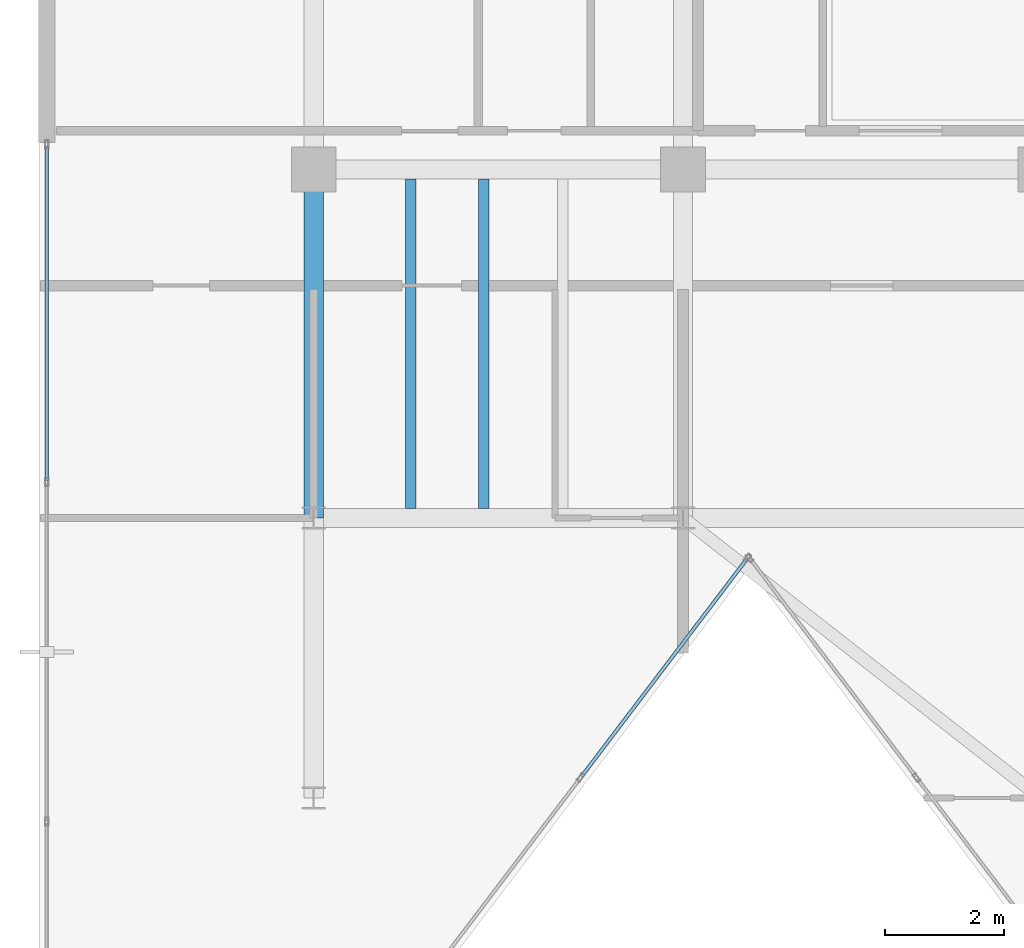
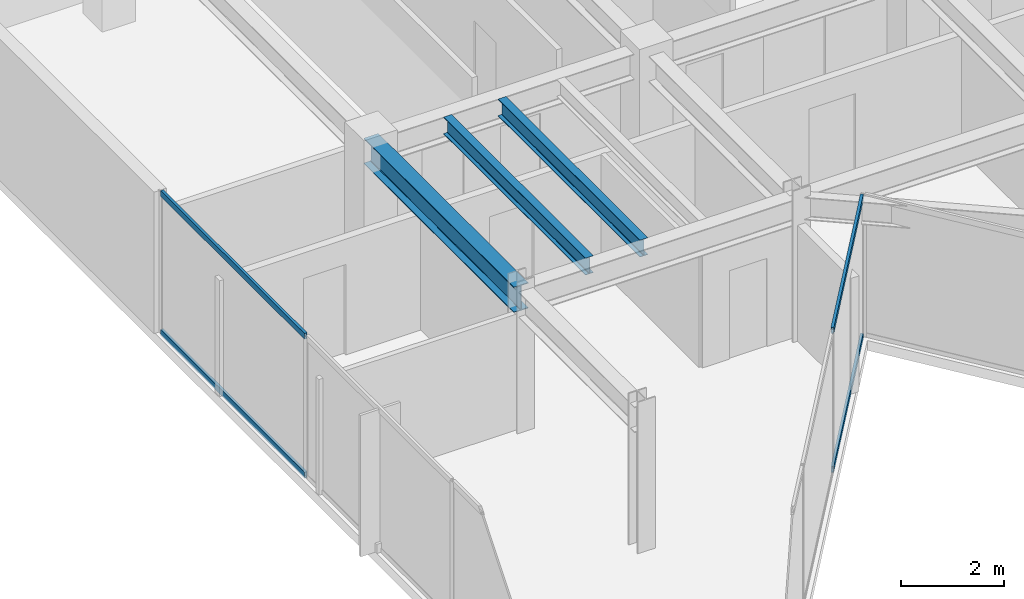
# One storey, part 5 of 16: 4 members, 3 beams, 2 elements without a shape of their own.
"""IFC4 building model written with IfcOpenShell, lengths in metres."""

import ifcopenshell
import ifcopenshell.guid

model = None  # the IFC model being written
_history = None  # IfcOwnerHistory: only IFC2X3 demands one
_inside = {}  # id of a spatial element -> (the spatial element, [elements in it])
_under = {}  # id of a project, library or spatial element -> (it, [spatial elements below it])
_declared = {}  # id of a project -> (the project, [libraries it declares])
_typed = {}  # id of a type object -> (the type object, [elements of that type])
_made_of = {}  # id of a material, layer set ... -> (it, [elements and type objects made of it])


def new_model(schema):
    """Start an empty IFC model of exactly this schema.

    Asked for "IFC4X3", IfcOpenShell would pick the latest addendum, in which some entities
    have other attributes; the version numbers below select the first issue.
    IFC2X3 requires an IfcOwnerHistory on every rooted entity: one is made here for all.
    """
    global model, _history
    if schema == "IFC4X3":
        model = ifcopenshell.file(schema_version=(4, 3, 0, 0))
    else:
        model = ifcopenshell.file(schema=schema)
    _inside.clear()
    _under.clear()
    _declared.clear()
    _typed.clear()
    _made_of.clear()
    _history = None
    if model.schema == "IFC2X3":
        org = make("IfcOrganization", Name="unknown")
        user = make(
            "IfcPersonAndOrganization",
            ThePerson=make("IfcPerson", FamilyName="unknown"),
            TheOrganization=org,
        )
        app = make(
            "IfcApplication",
            ApplicationDeveloper=org,
            Version="unknown",
            ApplicationFullName="unknown",
            ApplicationIdentifier="unknown",
        )
        _history = make(
            "IfcOwnerHistory",
            OwningUser=user,
            OwningApplication=app,
            ChangeAction="ADDED",
            CreationDate=0,
        )
    return model


def make(cls, **values):
    """One entity of the class cls with the attributes given. An attribute that is None is left unset."""
    return model.create_entity(
        cls, **{name: value for name, value in values.items() if value is not None}
    )


def rooted(cls, **values):
    """An entity with a GlobalId (a new one), such as an element, a storey or a relation."""
    return make(cls, GlobalId=ifcopenshell.guid.new(), OwnerHistory=_history, **values)


def si_unit(unit_type, name, prefix=None):
    """IfcSIUnit, for example si_unit("LENGTHUNIT", "METRE", prefix="MILLI")."""
    return make("IfcSIUnit", UnitType=unit_type, Prefix=prefix, Name=name)


def assignment(units):
    """IfcUnitAssignment: the units of a project."""
    return None if units is None else make("IfcUnitAssignment", Units=units)


def point(xyz):
    """IfcCartesianPoint."""
    return None if xyz is None else make("IfcCartesianPoint", Coordinates=xyz)


def direction(xyz):
    """IfcDirection."""
    return None if xyz is None else make("IfcDirection", DirectionRatios=xyz)


def frame(location, z_axis=None, x_axis=None):
    """IfcAxis2Placement3D, a coordinate frame: its origin and axes. An axis left out is left unset."""
    return make(
        "IfcAxis2Placement3D",
        Location=point(location),
        Axis=direction(z_axis),
        RefDirection=direction(x_axis),
    )


def frame_2d(location, x_axis=None):
    """IfcAxis2Placement2D, a coordinate frame in the plane: its origin and x axis."""
    return make(
        "IfcAxis2Placement2D", Location=point(location), RefDirection=direction(x_axis)
    )


def origin():
    """The frame at (0, 0, 0) with its axes left unset."""
    return frame((0.0, 0.0, 0.0))


def origin_2d():
    """The frame at (0, 0) in the plane with its x axis left unset."""
    return frame_2d((0.0, 0.0))


def place(relative_to, where):
    """IfcLocalPlacement: puts the frame where relative to a parent placement (None: the world)."""
    return make(
        "IfcLocalPlacement", PlacementRelTo=relative_to, RelativePlacement=where
    )


def context(
    kind, dimensions, precision=None, world=None, true_north=None, identifier=None
):
    """IfcGeometricRepresentationContext, for example the 3D "Model" context."""
    return make(
        "IfcGeometricRepresentationContext",
        ContextIdentifier=identifier,
        ContextType=kind,
        CoordinateSpaceDimension=dimensions,
        Precision=precision,
        WorldCoordinateSystem=world,
        TrueNorth=true_north,
    )


def subcontext(parent, identifier, kind, view, scale=None):
    """IfcGeometricRepresentationSubContext, for example "Body" below "Model"."""
    return make(
        "IfcGeometricRepresentationSubContext",
        ContextIdentifier=identifier,
        ContextType=kind,
        ParentContext=parent,
        TargetScale=scale,
        TargetView=view,
    )


def project(units=None, contexts=None):
    """IfcProject with its units and contexts."""
    return rooted(
        "IfcProject",
        Name="project",
        RepresentationContexts=contexts,
        UnitsInContext=assignment(units),
    )


def spatial(cls, under=None, at=None, **own):
    """A site, building, storey or space (cls), placed at a placement, below another one or the project."""
    s = rooted(cls, ObjectPlacement=at, **own)
    if under is not None:
        _under.setdefault(under.id(), (under, []))[1].append(s)
    return s


def profile(cls, at=None, kind="AREA", **sizes):
    """A parametric profile (cls). Its sizes go by their IFC names, for example OverallWidth=200.0."""
    return make(cls, ProfileType=kind, Position=at, **sizes)


def hollow_rectangle(**sizes):
    """IfcRectangleHollowProfileDef."""
    return profile("IfcRectangleHollowProfileDef", **sizes)


def i_section(**sizes):
    """IfcIShapeProfileDef."""
    return profile("IfcIShapeProfileDef", **sizes)


def extrude(swept, where, along, depth):
    """IfcExtrudedAreaSolid: the profile swept, set in the frame where, extruded along a direction by depth."""
    return make(
        "IfcExtrudedAreaSolid",
        SweptArea=swept,
        Position=where,
        ExtrudedDirection=direction(along),
        Depth=depth,
    )


def shape(context_of_items, identifier, shape_type, items):
    """IfcShapeRepresentation: the items that make up one representation, for example the "Body"."""
    return make(
        "IfcShapeRepresentation",
        ContextOfItems=context_of_items,
        RepresentationIdentifier=identifier,
        RepresentationType=shape_type,
        Items=items,
    )


def material(Name=None, Category=None):
    """IfcMaterial."""
    return make("IfcMaterial", Name=Name, Category=Category)


def layer(
    of_material, thickness, ventilated=None, Name=None, Category=None, Priority=None
):
    """IfcMaterialLayer: one layer of a wall or slab, of a material (None: an air gap)."""
    return make(
        "IfcMaterialLayer",
        Material=of_material,
        LayerThickness=thickness,
        IsVentilated=ventilated,
        Name=Name,
        Category=Category,
        Priority=Priority,
    )


def layer_set(layers, Name=None):
    """IfcMaterialLayerSet."""
    return make("IfcMaterialLayerSet", MaterialLayers=layers, LayerSetName=Name)


def material_profile(
    of_material, cross_section, Name=None, Category=None, Priority=None
):
    """IfcMaterialProfile: a cross section and its material."""
    return make(
        "IfcMaterialProfile",
        Name=Name,
        Material=of_material,
        Profile=cross_section,
        Priority=Priority,
        Category=Category,
    )


def profile_set(profiles, Name=None, composite=None):
    """IfcMaterialProfileSet."""
    return make(
        "IfcMaterialProfileSet",
        Name=Name,
        MaterialProfiles=profiles,
        CompositeProfile=composite,
    )


def made_of(thing, what):
    """Note that an element or type object is made of a material, layer set ...; save() writes the relation."""
    if what is not None:
        _made_of.setdefault(what.id(), (what, []))[1].append(thing)
    return thing


def type_object(cls, material=None, **own):
    """A type object (cls), such as IfcWallType, which elements share."""
    return made_of(rooted(cls, **own), material)


def element(
    cls,
    number,
    at=None,
    inside=None,
    cuts=None,
    type_object=None,
    material=None,
    context=None,
    identifier="Body",
    shape_type=None,
    held_by="IfcProductDefinitionShape",
    body=None,
    shapes=None,
    **own,
):
    """One element of the class cls, such as IfcWall. Its Tag is "e" and its number.

    at: its placement. inside: the storey or other place that contains it. cuts: it is an
    opening in that element (IfcRelVoidsElement). A single representation is given by context,
    identifier, shape_type and body (its items); several are given by shapes. held_by: the class
    of the entity that holds the representations. save() writes the other relations.
    """
    e = rooted(cls, Tag="e%d" % number, ObjectPlacement=at, **own)
    if body is not None:
        shapes = [shape(context, identifier, shape_type, body)]
    if shapes is not None:
        e.Representation = make(held_by, Representations=shapes)
    if inside is not None:
        _inside.setdefault(inside.id(), (inside, []))[1].append(e)
    if cuts is not None:
        rooted(
            "IfcRelVoidsElement", RelatingBuildingElement=cuts, RelatedOpeningElement=e
        )
    if type_object is not None:
        _typed.setdefault(type_object.id(), (type_object, []))[1].append(e)
    return made_of(e, material)


def aggregate(whole, parts):
    """IfcRelAggregates: a whole, such as a stair, and the parts it consists of."""
    return rooted("IfcRelAggregates", RelatingObject=whole, RelatedObjects=parts)


def save(model, path):
    """Write the relations noted so far, then the file.

    IfcRelAggregates (storeys below a building ...), IfcRelContainedInSpatialStructure (elements
    in a storey), IfcRelDefinesByType, IfcRelAssociatesMaterial and IfcRelDeclares: one each for
    every whole, place, type object, material and project.
    """
    for whole, parts in _under.values():
        aggregate(whole, parts)
    for where, things in _inside.values():
        rooted(
            "IfcRelContainedInSpatialStructure",
            RelatedElements=things,
            RelatingStructure=where,
        )
    for kind, things in _typed.values():
        rooted("IfcRelDefinesByType", RelatedObjects=things, RelatingType=kind)
    for what, things in _made_of.values():
        rooted("IfcRelAssociatesMaterial", RelatedObjects=things, RelatingMaterial=what)
    for by, libraries in _declared.values():
        rooted("IfcRelDeclares", RelatingContext=by, RelatedDefinitions=libraries)
    model.write(path)


model = new_model("IFC4")

# Units and contexts
model_context = context("Model", 3, precision=1e-05, world=origin(), true_north=direction((0.0, 1.0)))
body_context = subcontext(model_context, "Body", "Model", "MODEL_VIEW")
ifc_project = project(units=[si_unit("LENGTHUNIT", "METRE"), si_unit("AREAUNIT", "SQUARE_METRE"), si_unit("VOLUMEUNIT", "CUBIC_METRE"), si_unit("PLANEANGLEUNIT", "RADIAN"), si_unit("MASSUNIT", "GRAM", prefix="KILO")], contexts=[model_context])

# Site, building, storey
site_placement = place(None, origin())
site = spatial("IfcSite", under=ifc_project, at=site_placement, CompositionType="ELEMENT")
building_placement = place(site_placement, origin())
building = spatial("IfcBuilding", under=site, at=building_placement, Name="Kravanh Interchange Tower", CompositionType="ELEMENT")
storey_placement = place(building_placement, frame((0.0, 0.0, 303.89990234375)))
storey = spatial("IfcBuildingStorey", under=building, at=storey_placement, Name="L75", CompositionType="ELEMENT", Elevation=303.89990234375)

# Curtain wall, members
ifc_material_1 = material(Name="Anodised Bronze Aluminium", Category="aluminium")
ifc_layer = layer(ifc_material_1, 0.179931640625)
ifc_layer_set = layer_set([ifc_layer], Name="Unitised Curtain Wall System CW-HTL Luxury Hotel")
curtain_wall_type = type_object("IfcCurtainWallType", Name="Unitised Curtain Wall System CW-HTL Luxury Hotel", PredefinedType="NOTDEFINED", material=ifc_layer_set)
curtain_wall_1_placement = place(storey_placement, origin())
curtain_wall_1 = element("IfcCurtainWall", 1, at=curtain_wall_1_placement, inside=storey, type_object=curtain_wall_type, Name="L75 Unitised Curtain Wall CW-L75-01", PredefinedType="NOTDEFINED")
ifc_material_2 = material(Name="Anodised Bronze Aluminium", Category="aluminium")
ifc_material_profile_1 = material_profile(ifc_material_2, hollow_rectangle(XDim=0.06005859375, YDim=0.139892578125, WallThickness=0.00390625, at=origin_2d()), Name="ALU60X140X4")
ifc_profile_set_1 = profile_set([ifc_material_profile_1], Name="Anodised Bronze Aluminium")
member_type = type_object("IfcMemberType", Name="Curtain Wall Transom ALU60X140X4 Bronze", PredefinedType="USERDEFINED", material=ifc_profile_set_1)
member_1_placement = place(storey_placement, frame((34.1201171875, 32.1298828125, 0.030029296875), z_axis=(0.0, 1.0, 0.0), x_axis=(-1.0, 0.0, 0.0)))
member_1 = element("IfcMember", 2, at=member_1_placement, type_object=member_type, Name="CW-HTL transom 3.1", ObjectType="TRANSOM", PredefinedType="USERDEFINED", context=body_context, shape_type="SweptSolid", body=[
    extrude(hollow_rectangle(XDim=0.06005859375, YDim=0.139892578125, WallThickness=0.00390625, at=origin_2d()), origin(), (0.0, 0.0, 1.0), 5.610107421875),
])
member_2_placement = place(storey_placement, frame((34.1201171875, 32.1298828125, 3.335205078125), z_axis=(0.0, 1.0, 0.0), x_axis=(-1.0, 0.0, 0.0)))
member_2 = element("IfcMember", 3, at=member_2_placement, type_object=member_type, Name="CW-HTL transom 3.2", ObjectType="TRANSOM", PredefinedType="USERDEFINED", context=body_context, shape_type="SweptSolid", body=[
    extrude(hollow_rectangle(XDim=0.06005859375, YDim=0.139892578125, WallThickness=0.00390625, at=origin_2d()), origin(), (0.0, 0.0, 1.0), 5.610107421875),
])
aggregate(curtain_wall_1, [member_1, member_2])

curtain_wall_2_placement = place(storey_placement, origin())
curtain_wall_2 = element("IfcCurtainWall", 4, at=curtain_wall_2_placement, inside=storey, type_object=curtain_wall_type, Name="L75 Unitised Curtain Wall CW-L75-05", PredefinedType="NOTDEFINED")
member_3_placement = place(storey_placement, frame((45.86376953125, 30.80322265625, 0.030029296875), z_axis=(-0.605081913085, -0.796163223502, 0.0), x_axis=(0.796163223502, -0.605081913085, 0.0)))
member_3 = element("IfcMember", 5, at=member_3_placement, type_object=member_type, Name="CW-HTL transom 1.1", ObjectType="TRANSOM", PredefinedType="USERDEFINED", context=body_context, shape_type="SweptSolid", body=[
    extrude(hollow_rectangle(XDim=0.06005859375, YDim=0.139892578125, WallThickness=0.00390625, at=origin_2d()), origin(), (0.0, 0.0, 1.0), 4.5703125),
])
member_4_placement = place(storey_placement, frame((45.86376953125, 30.80322265625, 3.335205078125), z_axis=(-0.605081913085, -0.796163223502, 0.0), x_axis=(0.796163223502, -0.605081913085, 0.0)))
member_4 = element("IfcMember", 6, at=member_4_placement, type_object=member_type, Name="CW-HTL transom 1.2", ObjectType="TRANSOM", PredefinedType="USERDEFINED", context=body_context, shape_type="SweptSolid", body=[
    extrude(hollow_rectangle(XDim=0.06005859375, YDim=0.139892578125, WallThickness=0.00390625, at=origin_2d()), origin(), (0.0, 0.0, 1.0), 4.5703125),
])
aggregate(curtain_wall_2, [member_3, member_4])

# Beams
ifc_material_3 = material(Name="Structural Steel S355", Category="steel")
ifc_material_profile_2 = material_profile(ifc_material_3, i_section(OverallWidth=0.323974609375, OverallDepth=0.611083984375, WebThickness=0.0126953125, FlangeThickness=0.01904296875, FilletRadius=0.02197265625, at=origin_2d()), Name="W24X104")
ifc_profile_set_2 = profile_set([ifc_material_profile_2], Name="Structural Steel S355")
beam_type_1 = type_object("IfcBeamType", Name="Floor Beam W24X104 Structural Steel S355", PredefinedType="BEAM", material=ifc_profile_set_2)
beam_placement = place(storey_placement, frame((38.60009765625, 31.5, 3.0595703125), z_axis=(0.0, 1.0, 0.0), x_axis=(-1.0, 0.0, 0.0)))
element("IfcBeam", 7, at=beam_placement, inside=storey, type_object=beam_type_1, Name="L75 Primary Floor Girder 18", PredefinedType="BEAM", context=body_context, shape_type="SweptSolid", body=[
    extrude(i_section(OverallWidth=0.323974609375, OverallDepth=0.611083984375, WebThickness=0.0126953125, FlangeThickness=0.01904296875, FilletRadius=0.02197265625, at=origin_2d()), origin(), (0.0, 0.0, 1.0), 5.85009765625),
])
ifc_material_4 = material(Name="Structural Steel S355", Category="steel")
ifc_material_profile_3 = material_profile(ifc_material_4, i_section(OverallWidth=0.177978515625, OverallDepth=0.406005859375, WebThickness=0.0078125, FlangeThickness=0.0126953125, FilletRadius=0.01611328125, at=origin_2d()), Name="W16X40")
ifc_profile_set_3 = profile_set([ifc_material_profile_3], Name="Structural Steel S355")
beam_type_2 = type_object("IfcBeamType", Name="Floor Joist W16X40 Structural Steel S355", PredefinedType="JOIST", material=ifc_profile_set_3)
for number, where, z_axis, x_axis, name in (
    (8, (40.22998046875, 31.656982421875, 3.162109375), (0.0, 1.0, 0.0), (-1.0, 0.0, 0.0), "L75 Secondary Floor Joist 10"),
    (9, (41.455078125, 31.656982421875, 3.162109375), (0.0, 1.0, 0.0), (-1.0, 0.0, 0.0), "L75 Secondary Floor Joist 11"),
):
    element("IfcBeam", number, at=place(storey_placement, frame(where, z_axis=z_axis, x_axis=x_axis)), inside=storey, type_object=beam_type_2, Name=name, PredefinedType="JOIST", context=body_context, shape_type="SweptSolid", body=[
        extrude(i_section(OverallWidth=0.177978515625, OverallDepth=0.406005859375, WebThickness=0.0078125, FlangeThickness=0.0126953125, FilletRadius=0.01611328125, at=origin_2d()), origin(), (0.0, 0.0, 1.0), 5.5361328125),
    ])

save(model, "model.ifc")
